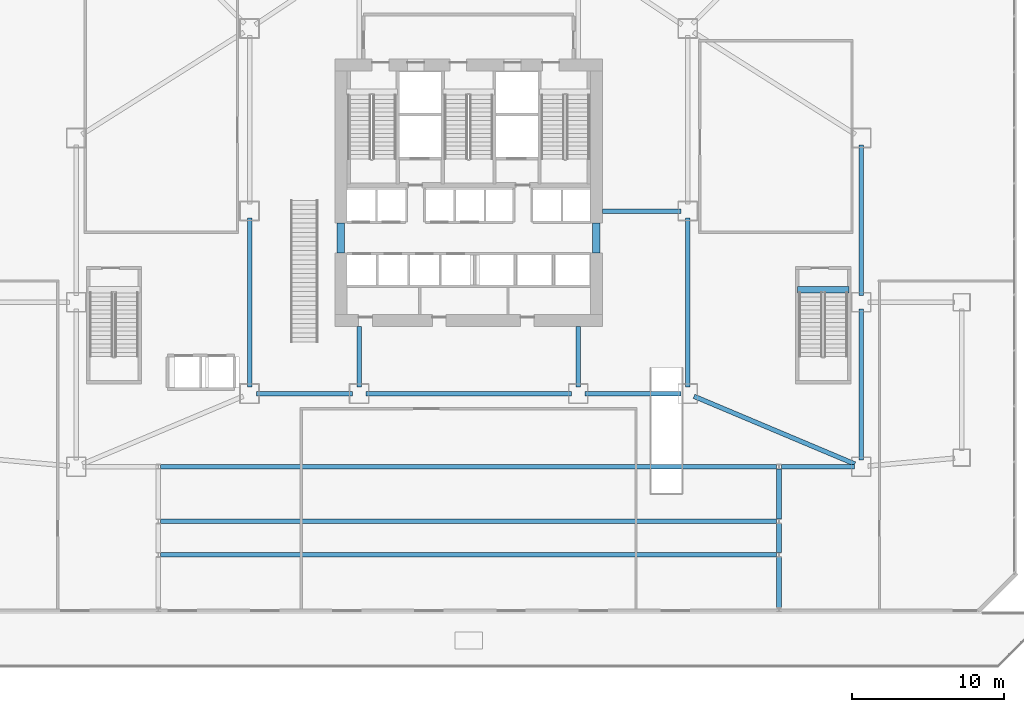
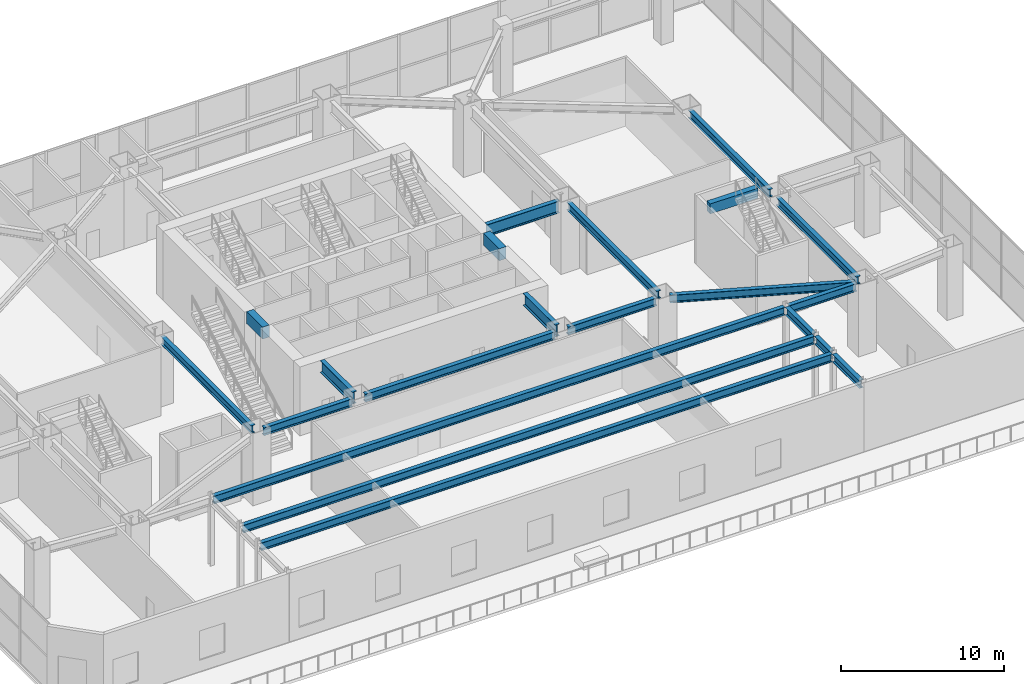
# One storey, part 11 of 37: 21 beams.
"""IFC4 building model written with IfcOpenShell, lengths in metres."""

from ifc_helpers import new_model, si_unit, direction, frame, origin, origin_2d, place, context, subcontext, project, spatial, rectangle, i_section, extrude, material, material_profile, profile_set, type_object, element, save


model = new_model("IFC4")

# Units and contexts
model_context = context("Model", 3, precision=1e-05, world=origin(), true_north=direction((0.0, 1.0)))
body_context = subcontext(model_context, "Body", "Model", "MODEL_VIEW")
ifc_project = project(units=[si_unit("LENGTHUNIT", "METRE"), si_unit("AREAUNIT", "SQUARE_METRE"), si_unit("VOLUMEUNIT", "CUBIC_METRE"), si_unit("PLANEANGLEUNIT", "RADIAN"), si_unit("MASSUNIT", "GRAM", prefix="KILO")], contexts=[model_context])

# Site, building, storey
site_placement = place(None, origin())
site = spatial("IfcSite", under=ifc_project, at=site_placement, CompositionType="ELEMENT")
building_placement = place(site_placement, origin())
building = spatial("IfcBuilding", under=site, at=building_placement, Name="Haolan Belvedere Tower", CompositionType="ELEMENT")
storey_placement = place(building_placement, frame((0.0, 0.0, 10.199951171875)))
storey = spatial("IfcBuildingStorey", under=building, at=storey_placement, Name="L02", CompositionType="ELEMENT", Elevation=10.199951171875)

# Beams
ifc_material_1 = material(Name="Steel Q355B", Category="steel")
ifc_material_profile_1 = material_profile(ifc_material_1, i_section(OverallWidth=0.300048828125, OverallDepth=0.587890625, WebThickness=0.011962890625, FlangeThickness=0.02001953125, FilletRadius=0.028076171875, at=origin_2d()), Name="Steel Q355B")
ifc_profile_set_1 = profile_set([ifc_material_profile_1], Name="Steel Q355B")
beam_type_1 = type_object("IfcBeamType", Name="BM-HM588x300x12x20", PredefinedType="SPANDREL", material=ifc_profile_set_1)
for number, where, z_axis, x_axis, name in (
    (1, (24.0, 22.050048828125, 4.865966796875), (0.0, 1.0, 0.0), (-1.0, 0.0, 0.0), "L02 spandrel girder MC-T3-SW-MC-T3-MW"),
    (2, (52.800048828125, 22.050048828125, 4.865966796875), (0.0, 1.0, 0.0), (-1.0, 0.0, 0.0), "L02 spandrel girder MC-T3-SE-MC-T3-ME"),
):
    element("IfcBeam", number, at=place(storey_placement, frame(where, z_axis=z_axis, x_axis=x_axis)), inside=storey, type_object=beam_type_1, Name=name, PredefinedType="SPANDREL", context=body_context, shape_type="SweptSolid", body=[
        extrude(i_section(OverallWidth=0.300048828125, OverallDepth=0.587890625, WebThickness=0.011962890625, FlangeThickness=0.02001953125, FilletRadius=0.028076171875, at=origin_2d()), origin(), (0.0, 0.0, 1.0), 11.099853515625),
    ])
for number, where, z_axis, x_axis, name in (
    (3, (24.449951171875, 21.60009765625, 4.865966796875), (1.0, 0.0, 0.0), (0.0, 1.0, 0.0), "L02 spandrel girder MC-T3-SW-MC-T3-S1"),
    (4, (46.050048828125, 21.60009765625, 4.865966796875), (1.0, 0.0, 0.0), (0.0, 1.0, 0.0), "L02 spandrel girder MC-T3-S2-MC-T3-SE"),
):
    element("IfcBeam", number, at=place(storey_placement, frame(where, z_axis=z_axis, x_axis=x_axis)), inside=storey, type_object=beam_type_1, Name=name, PredefinedType="SPANDREL", context=body_context, shape_type="SweptSolid", body=[
        extrude(i_section(OverallWidth=0.300048828125, OverallDepth=0.587890625, WebThickness=0.011962890625, FlangeThickness=0.02001953125, FilletRadius=0.028076171875, at=origin_2d()), origin(), (0.0, 0.0, 1.0), 6.300048828125),
    ])
beam_1_placement = place(storey_placement, frame((31.64990234375, 21.60009765625, 4.865966796875), z_axis=(1.0, 0.0, 0.0), x_axis=(0.0, 1.0, 0.0)))
element("IfcBeam", 5, at=beam_1_placement, inside=storey, type_object=beam_type_1, Name="L02 spandrel girder MC-T3-S1-MC-T3-S2", PredefinedType="SPANDREL", context=body_context, shape_type="SweptSolid", body=[
    extrude(i_section(OverallWidth=0.300048828125, OverallDepth=0.587890625, WebThickness=0.011962890625, FlangeThickness=0.02001953125, FilletRadius=0.028076171875, at=origin_2d()), origin(), (0.0, 0.0, 1.0), 13.5),
])
for number, where, z_axis, x_axis, name in (
    (6, (64.199951171875, 17.25, 4.865966796875), (0.0, 1.0, 0.0), (-1.0, 0.0, 0.0), "L02 spandrel girder MC-T4-SE-MC-T4-ME"),
    (7, (64.199951171875, 28.050048828125, 4.865966796875), (0.0, 1.0, 0.0), (-1.0, 0.0, 0.0), "L02 spandrel girder MC-T4-ME-MC-T4-NE"),
):
    element("IfcBeam", number, at=place(storey_placement, frame(where, z_axis=z_axis, x_axis=x_axis)), inside=storey, type_object=beam_type_1, Name=name, PredefinedType="SPANDREL", context=body_context, shape_type="SweptSolid", body=[
        extrude(i_section(OverallWidth=0.300048828125, OverallDepth=0.587890625, WebThickness=0.011962890625, FlangeThickness=0.02001953125, FilletRadius=0.028076171875, at=origin_2d()), origin(), (0.0, 0.0, 1.0), 9.89990234375),
    ])
beam_2_placement = place(storey_placement, frame((53.21484375, 21.42529296875, 4.865966796875), z_axis=(0.92163457375, -0.38805890335, 0.0), x_axis=(0.38805890335, 0.92163457375, 0.0)))
element("IfcBeam", 8, at=beam_2_placement, inside=storey, type_object=beam_type_1, Name="L02 spandrel girder MC-T3-SE-MC-T4-SE", PredefinedType="SPANDREL", context=body_context, shape_type="SweptSolid", body=[
    extrude(i_section(OverallWidth=0.300048828125, OverallDepth=0.587890625, WebThickness=0.011962890625, FlangeThickness=0.02001953125, FilletRadius=0.028076171875, at=origin_2d()), origin(), (0.0, 0.0, 1.0), 11.468994140625),
])
beam_3_placement = place(storey_placement, frame((58.800048828125, 7.550048828125, 4.865966796875), z_axis=(0.0, 1.0, 0.0), x_axis=(-1.0, 0.0, 0.0)))
element("IfcBeam", 9, at=beam_3_placement, inside=storey, type_object=beam_type_1, Name="L02 spandrel girder PC-SE-1-PC-CS2-E", PredefinedType="SPANDREL", context=body_context, shape_type="SweptSolid", body=[
    extrude(i_section(OverallWidth=0.300048828125, OverallDepth=0.587890625, WebThickness=0.011962890625, FlangeThickness=0.02001953125, FilletRadius=0.028076171875, at=origin_2d()), origin(), (0.0, 0.0, 1.0), 3.300048828125),
])
beam_4_placement = place(storey_placement, frame((18.14990234375, 11.0, 4.865966796875), z_axis=(1.0, 0.0, 0.0), x_axis=(0.0, 1.0, 0.0)))
element("IfcBeam", 10, at=beam_4_placement, inside=storey, type_object=beam_type_1, Name="L02 spandrel girder PC-CS2-W-PC-CS2-E", PredefinedType="SPANDREL", context=body_context, shape_type="SweptSolid", body=[
    extrude(i_section(OverallWidth=0.300048828125, OverallDepth=0.587890625, WebThickness=0.011962890625, FlangeThickness=0.02001953125, FilletRadius=0.028076171875, at=origin_2d()), origin(), (0.0, 0.0, 1.0), 40.5),
])
beam_5_placement = place(storey_placement, frame((58.800048828125, 11.14990234375, 4.865966796875), z_axis=(0.0, 1.0, 0.0), x_axis=(-1.0, 0.0, 0.0)))
element("IfcBeam", 11, at=beam_5_placement, inside=storey, type_object=beam_type_1, Name="L02 spandrel girder PC-CS2-E-PC-CS3-E", PredefinedType="SPANDREL", context=body_context, shape_type="SweptSolid", body=[
    extrude(i_section(OverallWidth=0.300048828125, OverallDepth=0.587890625, WebThickness=0.011962890625, FlangeThickness=0.02001953125, FilletRadius=0.028076171875, at=origin_2d()), origin(), (0.0, 0.0, 1.0), 1.900146484375),
])
beam_6_placement = place(storey_placement, frame((18.14990234375, 13.199951171875, 4.865966796875), z_axis=(1.0, 0.0, 0.0), x_axis=(0.0, 1.0, 0.0)))
element("IfcBeam", 12, at=beam_6_placement, inside=storey, type_object=beam_type_1, Name="L02 spandrel girder PC-CS3-W-PC-CS3-E", PredefinedType="SPANDREL", context=body_context, shape_type="SweptSolid", body=[
    extrude(i_section(OverallWidth=0.300048828125, OverallDepth=0.587890625, WebThickness=0.011962890625, FlangeThickness=0.02001953125, FilletRadius=0.028076171875, at=origin_2d()), origin(), (0.0, 0.0, 1.0), 40.5),
])
beam_7_placement = place(storey_placement, frame((58.800048828125, 13.35009765625, 4.865966796875), z_axis=(0.0, 1.0, 0.0), x_axis=(-1.0, 0.0, 0.0)))
element("IfcBeam", 13, at=beam_7_placement, inside=storey, type_object=beam_type_1, Name="L02 spandrel girder PC-CS3-E-PC-CS4-E", PredefinedType="SPANDREL", context=body_context, shape_type="SweptSolid", body=[
    extrude(i_section(OverallWidth=0.300048828125, OverallDepth=0.587890625, WebThickness=0.011962890625, FlangeThickness=0.02001953125, FilletRadius=0.028076171875, at=origin_2d()), origin(), (0.0, 0.0, 1.0), 3.2998046875),
])
beam_8_placement = place(storey_placement, frame((18.14990234375, 16.800048828125, 4.865966796875), z_axis=(1.0, 0.0, 0.0), x_axis=(0.0, 1.0, 0.0)))
element("IfcBeam", 14, at=beam_8_placement, inside=storey, type_object=beam_type_1, Name="L02 spandrel girder PC-CS4-W-PC-CS4-E", PredefinedType="SPANDREL", context=body_context, shape_type="SweptSolid", body=[
    extrude(i_section(OverallWidth=0.300048828125, OverallDepth=0.587890625, WebThickness=0.011962890625, FlangeThickness=0.02001953125, FilletRadius=0.028076171875, at=origin_2d()), origin(), (0.0, 0.0, 1.0), 40.5),
])
beam_9_placement = place(storey_placement, frame((58.949951171875, 16.800048828125, 4.865966796875), z_axis=(1.0, 0.0, 0.0), x_axis=(0.0, 1.0, 0.0)))
element("IfcBeam", 15, at=beam_9_placement, inside=storey, type_object=beam_type_1, Name="L02 spandrel girder PC-CS4-E-MC-T4-SE", PredefinedType="SPANDREL", context=body_context, shape_type="SweptSolid", body=[
    extrude(i_section(OverallWidth=0.300048828125, OverallDepth=0.587890625, WebThickness=0.011962890625, FlangeThickness=0.02001953125, FilletRadius=0.028076171875, at=origin_2d()), origin(), (0.0, 0.0, 1.0), 4.800048828125),
])
ifc_material_profile_2 = material_profile(ifc_material_1, i_section(OverallWidth=0.300048828125, OverallDepth=0.89990234375, WebThickness=0.01611328125, FlangeThickness=0.028076171875, FilletRadius=0.028076171875, at=origin_2d()), Name="Steel Q355B")
ifc_profile_set_2 = profile_set([ifc_material_profile_2], Name="Steel Q355B")
beam_type_2 = type_object("IfcBeamType", Name="BM-HN900x300x16x28", PredefinedType="BEAM", material=ifc_profile_set_2)
beam_10_placement = place(storey_placement, frame((52.35009765625, 33.60009765625, 4.7099609375), z_axis=(-1.0, 0.0, 0.0), x_axis=(0.0, -1.0, 0.0)))
element("IfcBeam", 16, at=beam_10_placement, inside=storey, type_object=beam_type_2, Name="L02 core tie beam from MC-T3-ME", PredefinedType="BEAM", context=body_context, shape_type="SweptSolid", body=[
    extrude(i_section(OverallWidth=0.300048828125, OverallDepth=0.89990234375, WebThickness=0.01611328125, FlangeThickness=0.028076171875, FilletRadius=0.028076171875, at=origin_2d()), origin(), (0.0, 0.0, 1.0), 5.150146484375),
])
for number, where, z_axis, x_axis, name in (
    (17, (31.199951171875, 22.050048828125, 4.7099609375), (0.0, 1.0, 0.0), (-1.0, 0.0, 0.0), "L02 core tie beam from MC-T3-S1"),
    (18, (45.60009765625, 22.050048828125, 4.7099609375), (0.0, 1.0, 0.0), (-1.0, 0.0, 0.0), "L02 core tie beam from MC-T3-S2"),
):
    element("IfcBeam", number, at=place(storey_placement, frame(where, z_axis=z_axis, x_axis=x_axis)), inside=storey, type_object=beam_type_2, Name=name, PredefinedType="BEAM", context=body_context, shape_type="SweptSolid", body=[
        extrude(i_section(OverallWidth=0.300048828125, OverallDepth=0.89990234375, WebThickness=0.01611328125, FlangeThickness=0.028076171875, FilletRadius=0.028076171875, at=origin_2d()), origin(), (0.0, 0.0, 1.0), 3.949951171875),
    ])
ifc_material_2 = material(Name="Concrete C50/60", Category="concrete")
ifc_material_profile_3 = material_profile(ifc_material_2, rectangle(XDim=0.39990234375, YDim=0.75, at=origin_2d()), Name="Concrete C50/60")
ifc_profile_set_3 = profile_set([ifc_material_profile_3], Name="Concrete C50/60")
beam_type_3 = type_object("IfcBeamType", Name="BM-RC400x750", PredefinedType="T_BEAM", material=ifc_profile_set_3)
beam_11_placement = place(storey_placement, frame((60.010009765625, 28.429931640625, 5.025146484375), z_axis=(1.0, 0.0, 0.0), x_axis=(0.0, 1.0, 0.0)))
element("IfcBeam", 19, at=beam_11_placement, inside=storey, type_object=beam_type_3, Name="L03 podium stair ST5 RC header trimmer beam", PredefinedType="BEAM", context=body_context, shape_type="SweptSolid", body=[
    extrude(rectangle(XDim=0.39990234375, YDim=0.75, at=origin_2d()), origin(), (0.0, 0.0, 1.0), 3.39990234375),
])
ifc_material_3 = material(Name="Concrete C60/75", Category="concrete")
ifc_material_profile_4 = material_profile(ifc_material_3, rectangle(XDim=0.5, YDim=0.89990234375, at=origin_2d()), Name="Concrete C60/75")
ifc_profile_set_4 = profile_set([ifc_material_profile_4], Name="Concrete C60/75")
beam_type_4 = type_object("IfcBeamType", Name="BM-RC500x900", PredefinedType="LINTEL", material=ifc_profile_set_4)
for number, where, z_axis, x_axis, name in (
    (20, (30.0, 30.85009765625, 4.7099609375), (0.0, 1.0, 0.0), (-1.0, 0.0, 0.0), "L02 west core coupling beam CB-01"),
    (21, (46.800048828125, 30.85009765625, 4.7099609375), (0.0, 1.0, 0.0), (-1.0, 0.0, 0.0), "L02 east core coupling beam CB-01"),
):
    element("IfcBeam", number, at=place(storey_placement, frame(where, z_axis=z_axis, x_axis=x_axis)), inside=storey, type_object=beam_type_4, Name=name, PredefinedType="LINTEL", context=body_context, shape_type="SweptSolid", body=[
        extrude(rectangle(XDim=0.5, YDim=0.89990234375, at=origin_2d()), origin(), (0.0, 0.0, 1.0), 1.949951171875),
    ])

save(model, "model.ifc")
